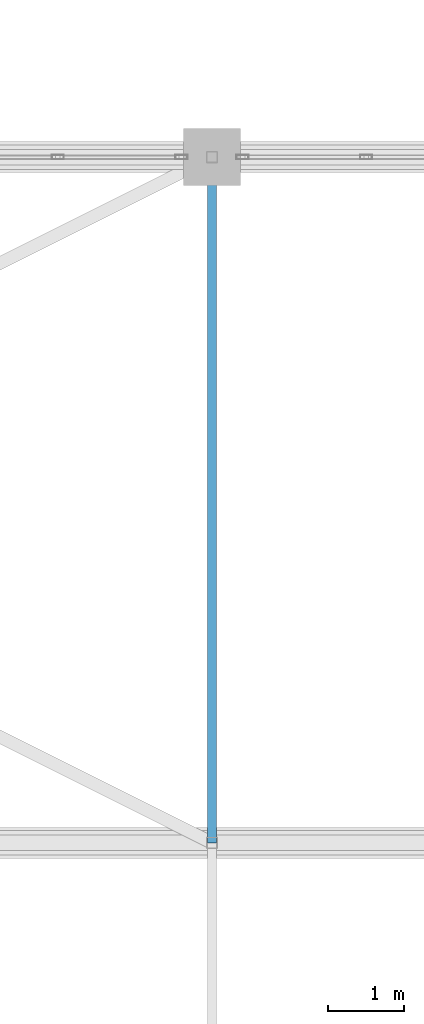
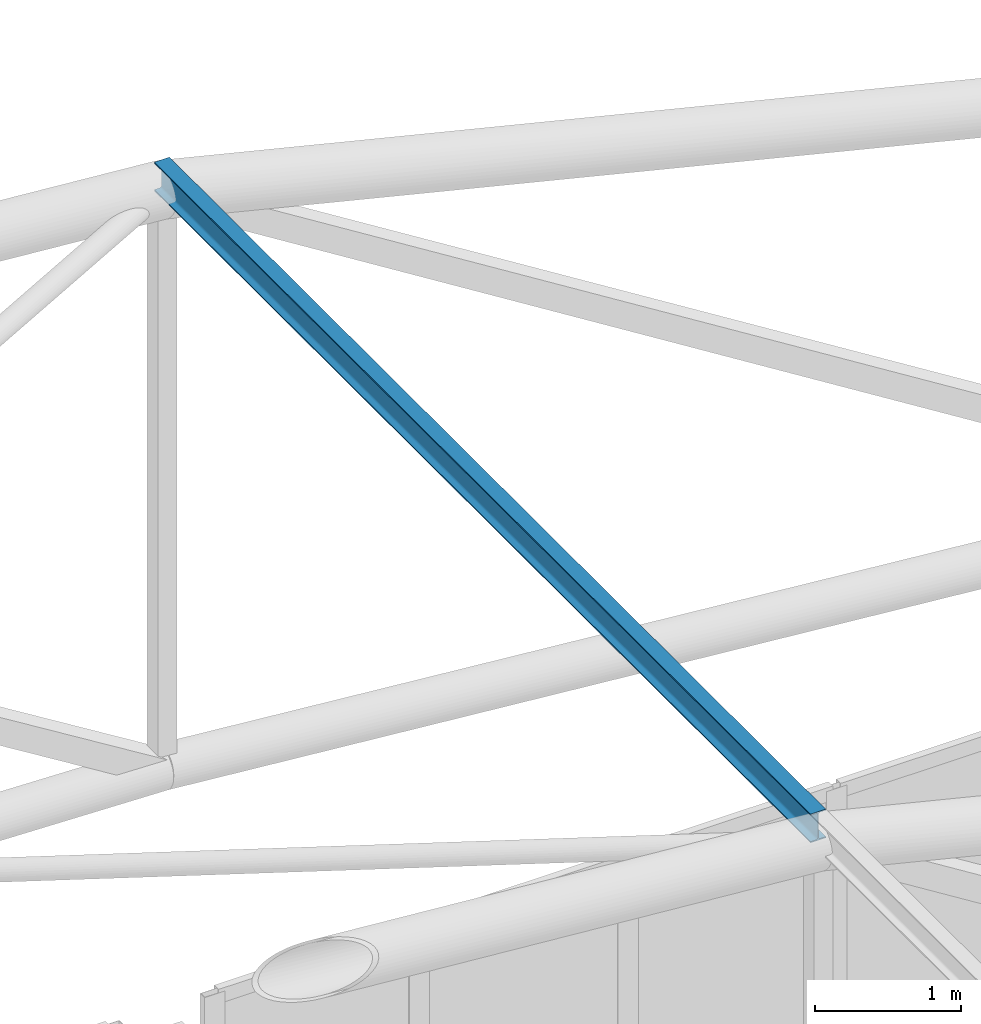
# One storey, part 111 of 167: 1 member.
"""IFC4 building model written with IfcOpenShell, lengths in metres."""

from ifc_helpers import new_model, si_unit, direction, frame, origin, origin_2d, place, context, subcontext, project, spatial, i_section, extrude, material, material_profile, profile_set, type_object, element, save


model = new_model("IFC4")

# Units and contexts
model_context = context("Model", 3, precision=1e-05, world=origin(), true_north=direction((0.0, 1.0)))
body_context = subcontext(model_context, "Body", "Model", "MODEL_VIEW")
ifc_project = project(units=[si_unit("LENGTHUNIT", "METRE"), si_unit("AREAUNIT", "SQUARE_METRE"), si_unit("VOLUMEUNIT", "CUBIC_METRE"), si_unit("PLANEANGLEUNIT", "RADIAN"), si_unit("MASSUNIT", "GRAM", prefix="KILO")], contexts=[model_context])

# Site, building, storey
site_placement = place(None, origin())
site = spatial("IfcSite", under=ifc_project, at=site_placement, CompositionType="ELEMENT")
building_placement = place(site_placement, origin())
building = spatial("IfcBuilding", under=site, at=building_placement, Name="Dornveld Trade and Exhibition Forum", CompositionType="ELEMENT")
storey_placement = place(building_placement, frame((0.0, 0.0, 16.800048828125)))
storey = spatial("IfcBuildingStorey", under=building, at=storey_placement, Name="L03", CompositionType="ELEMENT", Elevation=16.800048828125)

# Member
ifc_material = material(Name="Steel S355J2", Category="steel")
ifc_material_profile = material_profile(ifc_material, i_section(OverallWidth=0.1201171875, OverallDepth=0.239990234375, WebThickness=0.006103515625, FlangeThickness=0.009765625, FilletRadius=0.014892578125, at=origin_2d()), Name="IPE 240")
ifc_profile_set = profile_set([ifc_material_profile], Name="Steel S355J2")
member_type = type_object("IfcMemberType", Name="MEM-PURLIN-240", PredefinedType="PURLIN", material=ifc_profile_set)
member_placement = place(storey_placement, frame((63.0, 126.0, 11.048583984375), z_axis=(0.0, 1.0, 0.0), x_axis=(-1.0, 0.0, 0.0)))
element("IfcMember", 1, at=member_placement, inside=storey, type_object=member_type, Name="H3 bay 11 roof purlin 5", PredefinedType="PURLIN", context=body_context, shape_type="SweptSolid", body=[
    extrude(i_section(OverallWidth=0.1201171875, OverallDepth=0.239990234375, WebThickness=0.006103515625, FlangeThickness=0.009765625, FilletRadius=0.014892578125, at=origin_2d()), origin(), (0.0, 0.0, 1.0), 9.0),
])

save(model, "model.ifc")
